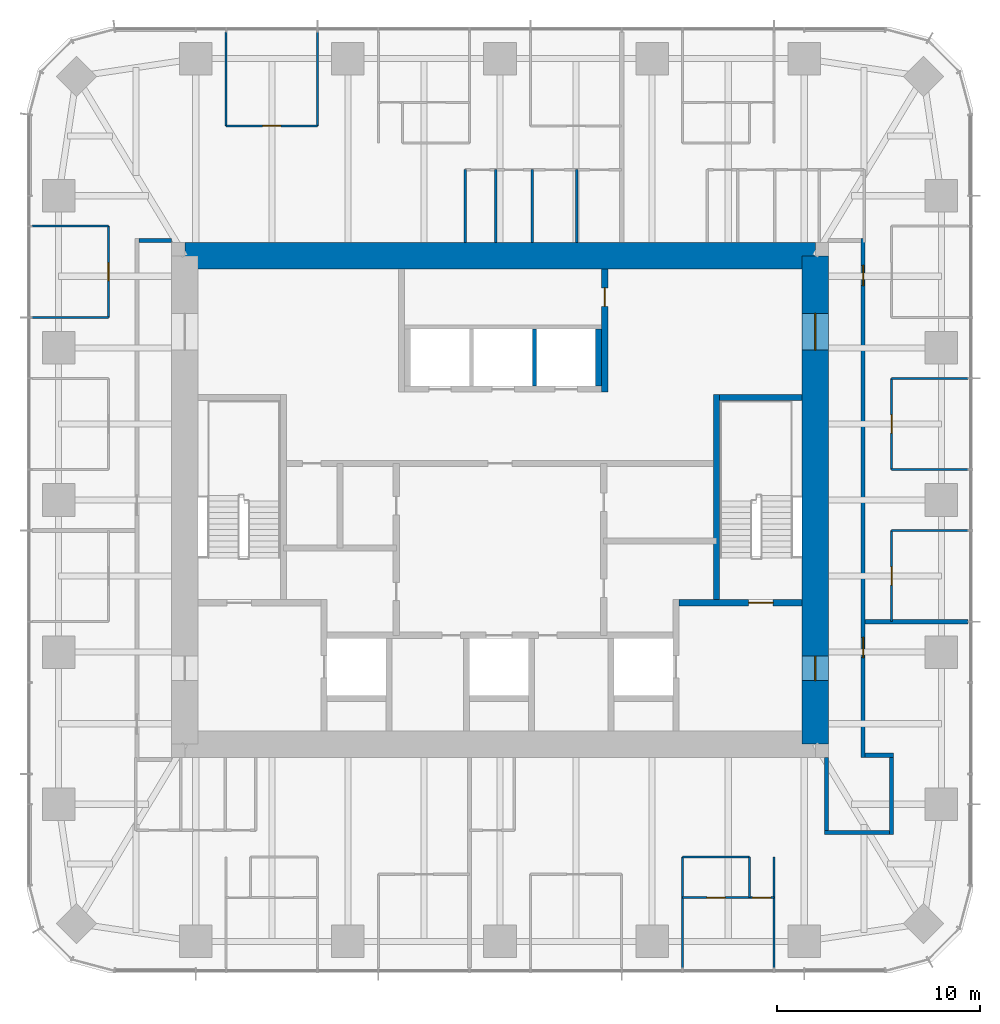
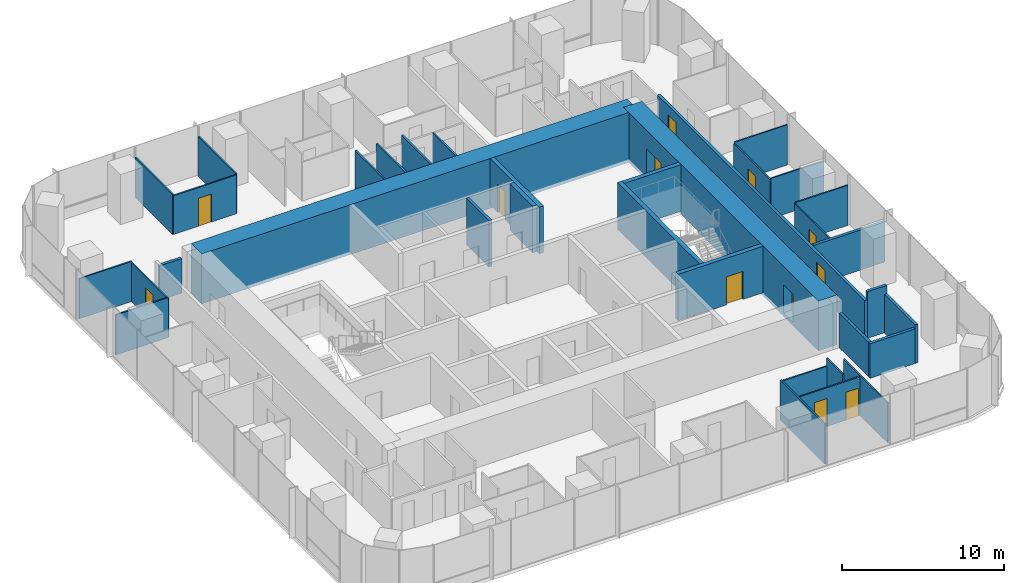
# One storey, part 10 of 12: 35 walls, 12 doors, 12 openings.
"""IFC4 building model written with IfcOpenShell, lengths in metres."""

from ifc_helpers import new_model, si_unit, direction, frame, frame_2d, origin, place, context, subcontext, project, spatial, rectangle, extrude, material, layer, layer_set, type_object, element, fill, save


model = new_model("IFC4")

# Units and contexts
model_context = context("Model", 3, precision=1e-05, world=origin(), true_north=direction((0.0, 1.0)))
body_context = subcontext(model_context, "Body", "Model", "MODEL_VIEW")
ifc_project = project(units=[si_unit("LENGTHUNIT", "METRE"), si_unit("AREAUNIT", "SQUARE_METRE"), si_unit("VOLUMEUNIT", "CUBIC_METRE"), si_unit("PLANEANGLEUNIT", "RADIAN"), si_unit("MASSUNIT", "GRAM", prefix="KILO")], contexts=[model_context])

# Site, building, storey
site_placement = place(None, origin())
site = spatial("IfcSite", under=ifc_project, at=site_placement, CompositionType="ELEMENT")
building_placement = place(site_placement, origin())
building = spatial("IfcBuilding", under=site, at=building_placement, Name="Khuree Lantern Residences", CompositionType="ELEMENT")
storey_placement = place(building_placement, frame((0.0, 0.0, 330.75)))
storey = spatial("IfcBuildingStorey", under=building, at=storey_placement, Name="L83", CompositionType="ELEMENT", Elevation=330.75)

# Walls
ifc_material_1 = material(Name="Moisture-resistant gypsum board on steel studs", Category="steel")
ifc_layer_1 = layer(ifc_material_1, 0.125)
ifc_layer_set_1 = layer_set([ifc_layer_1], Name="BATHROOM WALL BTW125")
wall_type_1 = type_object("IfcWallType", Name="BATHROOM WALL BTW125", PredefinedType="PARTITIONING", material=ifc_layer_set_1)
wall_1_placement = place(storey_placement, frame((3.783935546875, 12.64990234375, 0.0), z_axis=(0.0, 0.0, 1.0), x_axis=(0.0, 1.0, 0.0)))
element("IfcWall", 1, at=wall_1_placement, inside=storey, type_object=wall_type_1, Name="L83 BATHROOM WALL 02", PredefinedType="PARTITIONING", context=body_context, shape_type="SweptSolid", body=[
    extrude(rectangle(XDim=3.596435546875, YDim=0.125, at=frame_2d((1.79833984375, 0.0))), origin(), (0.0, 0.0, 1.0), 2.909912109375),
])
for number, where, z_axis, x_axis, name in (
    (2, (1.583984375, 12.64990234375, 0.0), (0.0, 0.0, 1.0), (0.0, 1.0, 0.0), "L83 BATHROOM WALL 02"),
    (3, (-0.216064453125, 12.64990234375, 0.0), (0.0, 0.0, 1.0), (0.0, 1.0, 0.0), "L83 BATHROOM WALL 02"),
    (4, (-1.716064453125, 12.64990234375, 0.0), (0.0, 0.0, 1.0), (0.0, 1.0, 0.0), "L83 BATHROOM WALL 02"),
):
    element("IfcWall", number, at=place(storey_placement, frame(where, z_axis=z_axis, x_axis=x_axis)), inside=storey, type_object=wall_type_1, Name=name, PredefinedType="PARTITIONING", context=body_context, shape_type="SweptSolid", body=[
        extrude(rectangle(XDim=3.596435546875, YDim=0.125, at=frame_2d((1.79833984375, 0.0))), origin(), (0.0, 0.0, 1.0), 3.5),
    ])
ifc_material_2 = material(Name="Dense concrete blockwork", Category="masonry")
ifc_layer_2 = layer(ifc_material_2, 0.300048828125)
ifc_layer_set_2 = layer_set([ifc_layer_2], Name="CORE PARTITION WALL CPW300 EI 120")
wall_type_2 = type_object("IfcWallType", Name="CORE PARTITION WALL CPW300 EI 120", PredefinedType="PARTITIONING", material=ifc_layer_set_2)
wall_2_placement = place(storey_placement, frame((4.85009765625, 5.60009765625, 0.0), z_axis=(0.0, 0.0, 1.0), x_axis=(0.0, 1.0, 0.0)))
element("IfcWall", 5, at=wall_2_placement, inside=storey, type_object=wall_type_2, Name="L83 CORE WALL PHE", PredefinedType="PARTITIONING", context=body_context, shape_type="SweptSolid", body=[
    extrude(rectangle(XDim=2.7998046875, YDim=0.300048828125, at=frame_2d((1.39990234375, 0.0))), origin(), (0.0, 0.0, 1.0), 3.5),
])

# Wall, opening, door
wall_3_placement = place(storey_placement, frame((5.14990234375, 5.300048828125, 0.0), z_axis=(0.0, 0.0, 1.0), x_axis=(0.0, 1.0, 0.0)))
wall_3 = element("IfcWall", 6, at=wall_3_placement, inside=storey, type_object=wall_type_2, Name="L83 CORE WALL NE", PredefinedType="PARTITIONING", context=body_context, shape_type="SweptSolid", body=[
    extrude(rectangle(XDim=6.050048828125, YDim=0.300048828125, at=frame_2d((3.02490234375, 0.0))), origin(), (0.0, 0.0, 1.0), 3.5),
])
opening_1_placement = place(wall_3_placement, frame((4.22509765625, 0.0, 0.0)))
opening_1 = element("IfcOpeningElement", 7, at=opening_1_placement, cuts=wall_3, Name="Opening 83-021", PredefinedType="OPENING", context=body_context, shape_type="SweptSolid", body=[
    extrude(rectangle(XDim=0.89990234375, YDim=2.10009765625, at=frame_2d((0.449951171875, 1.050048828125))), frame((0.0, 0.16015625, 0.0), z_axis=(0.0, -1.0, 0.0), x_axis=(1.0, 0.0, 0.0)), (0.0, 0.0, 1.0), 0.320068359375),
])
ifc_material_3 = material(Name="Timber door leaf in hardwood frame", Category="wood")
door_type_1 = type_object("IfcDoorType", Name="DOOR 900X2100", OperationType="SINGLE_SWING_LEFT", PredefinedType="DOOR", material=ifc_material_3)
door_1_placement = place(opening_1_placement, origin())
door_1 = element("IfcDoor", 8, at=door_1_placement, inside=storey, type_object=door_type_1, Name="Residents' store door 83-021", OperationType="SINGLE_SWING_LEFT", OverallHeight=2.10009765625, OverallWidth=0.89990234375, PredefinedType="DOOR", context=body_context, shape_type="SweptSolid", body=[
    extrude(rectangle(XDim=0.89990234375, YDim=2.10009765625, at=frame_2d((0.449951171875, 1.050048828125))), frame((0.0, 0.02490234375, 0.0), z_axis=(0.0, -1.0, 0.0), x_axis=(1.0, 0.0, 0.0)), (0.0, 0.0, 1.0), 0.050048828125),
])
fill(opening_1, door_1)

# Walls
ifc_material_4 = material(Name="Gypsum board on steel studs", Category="steel")
ifc_layer_3 = layer(ifc_material_4, 0.199951171875)
ifc_layer_set_3 = layer_set([ifc_layer_3], Name="CORRIDOR WALL CRW200 EI 60")
wall_type_3 = type_object("IfcWallType", Name="CORRIDOR WALL CRW200 EI 60", PredefinedType="PARTITIONING", material=ifc_layer_set_3)
wall_4_placement = place(storey_placement, frame((17.949951171875, -12.550048828125, 0.0), z_axis=(0.0, 0.0, 1.0), x_axis=(1.0, 0.0, 0.0)))
element("IfcWall", 9, at=wall_4_placement, inside=storey, type_object=wall_type_3, Name="L83 RESIDENTS LOUNGE WALL", PredefinedType="PARTITIONING", context=body_context, shape_type="SweptSolid", body=[
    extrude(rectangle(XDim=1.400146484375, YDim=0.199951171875, at=frame_2d((0.7001953125, 0.0))), origin(), (0.0, 0.0, 1.0), 3.5),
])
wall_5_placement = place(storey_placement, frame((19.25, -12.449951171875, 0.0), z_axis=(0.0, 0.0, 1.0), x_axis=(0.0, -1.0, 0.0)))
element("IfcWall", 10, at=wall_5_placement, inside=storey, type_object=wall_type_3, Name="L83 RESIDENTS LOUNGE WALL", PredefinedType="PARTITIONING", context=body_context, shape_type="SweptSolid", body=[
    extrude(rectangle(XDim=4.0, YDim=0.199951171875, at=frame_2d((2.0, 0.0))), origin(), (0.0, 0.0, 1.0), 2.89990234375),
])
wall_6_placement = place(storey_placement, frame((19.14990234375, -16.35009765625, 0.0), z_axis=(0.0, 0.0, 1.0), x_axis=(-1.0, 0.0, 0.0)))
element("IfcWall", 11, at=wall_6_placement, inside=storey, type_object=wall_type_3, Name="L83 RESIDENTS LOUNGE WALL", PredefinedType="PARTITIONING", context=body_context, shape_type="SweptSolid", body=[
    extrude(rectangle(XDim=3.199951171875, YDim=0.199951171875, at=frame_2d((1.60009765625, 0.0))), origin(), (0.0, 0.0, 1.0), 2.60009765625),
])
wall_7_placement = place(storey_placement, frame((16.050048828125, -16.449951171875, 0.0), z_axis=(0.0, 0.0, 1.0), x_axis=(0.0, 1.0, 0.0)))
element("IfcWall", 12, at=wall_7_placement, inside=storey, type_object=wall_type_3, Name="L83 RESIDENTS LOUNGE WALL", PredefinedType="PARTITIONING", context=body_context, shape_type="SweptSolid", body=[
    extrude(rectangle(XDim=3.800048828125, YDim=0.199951171875, at=frame_2d((1.89990234375, 0.0))), origin(), (0.0, 0.0, 1.0), 2.60009765625),
])
wall_8_placement = place(storey_placement, frame((-16.14990234375, 12.75, 0.0), z_axis=(0.0, 0.0, 1.0), x_axis=(-1.0, 0.0, 0.0)))
element("IfcWall", 13, at=wall_8_placement, inside=storey, type_object=wall_type_3, Name="L83 WEST CORRIDOR NORTH END WALL", PredefinedType="PARTITIONING", context=body_context, shape_type="SweptSolid", body=[
    extrude(rectangle(XDim=1.60009765625, YDim=0.199951171875, at=frame_2d((0.800048828125, 0.0))), origin(), (0.0, 0.0, 1.0), 2.60009765625),
])

# Wall, openings, doors
wall_9_placement = place(storey_placement, frame((17.85009765625, -12.64990234375, 0.0), z_axis=(0.0, 0.0, 1.0), x_axis=(0.0, 1.0, 0.0)))
wall_9 = element("IfcWall", 14, at=wall_9_placement, inside=storey, type_object=wall_type_3, Name="L83 CORRIDOR WALL EAST 1", PredefinedType="PARTITIONING", context=body_context, shape_type="SweptSolid", body=[
    extrude(rectangle(XDim=25.5, YDim=0.199951171875, at=frame_2d((12.75, 0.0))), origin(), (0.0, 0.0, 1.0), 2.89990234375),
])
opening_2_placement = place(wall_9_placement, frame((23.18603515625, 0.0, 0.0)))
opening_2 = element("IfcOpeningElement", 15, at=opening_2_placement, cuts=wall_9, Name="Opening 83-031", PredefinedType="OPENING", context=body_context, shape_type="SweptSolid", body=[
    extrude(rectangle(XDim=1.0, YDim=2.199951171875, at=frame_2d((0.5, 1.10009765625))), frame((0.0, 0.10986328125, 0.0), z_axis=(0.0, -1.0, 0.0), x_axis=(1.0, 0.0, 0.0)), (0.0, 0.0, 1.0), 0.219970703125),
])
opening_3_placement = place(wall_9_placement, frame((4.89990234375, 0.0, 0.0)))
opening_3 = element("IfcOpeningElement", 16, at=opening_3_placement, cuts=wall_9, Name="Opening 83-055", PredefinedType="OPENING", context=body_context, shape_type="SweptSolid", body=[
    extrude(rectangle(XDim=1.0, YDim=2.199951171875, at=frame_2d((0.5, 1.10009765625))), frame((0.0, 0.10986328125, 0.0), z_axis=(0.0, -1.0, 0.0), x_axis=(1.0, 0.0, 0.0)), (0.0, 0.0, 1.0), 0.219970703125),
])
door_type_2 = type_object("IfcDoorType", Name="APARTMENT ENTRANCE DOOR 1000X2200 EI 30S", OperationType="SINGLE_SWING_LEFT", PredefinedType="DOOR", material=ifc_material_3)
door_2_placement = place(opening_3_placement, origin())
door_2 = element("IfcDoor", 17, at=door_2_placement, inside=storey, type_object=door_type_2, Name="Apartment 04 entrance door 83-055", OperationType="SINGLE_SWING_LEFT", OverallHeight=2.199951171875, OverallWidth=1.0, PredefinedType="DOOR", context=body_context, shape_type="SweptSolid", body=[
    extrude(rectangle(XDim=1.0, YDim=2.199951171875, at=frame_2d((0.5, 1.10009765625))), frame((0.0, 0.02490234375, 0.0), z_axis=(0.0, -1.0, 0.0), x_axis=(1.0, 0.0, 0.0)), (0.0, 0.0, 1.0), 0.050048828125),
])
fill(opening_3, door_2)
door_type_3 = type_object("IfcDoorType", Name="APARTMENT ENTRANCE DOOR 1000X2200 EI 30S RIGHT HAND", OperationType="SINGLE_SWING_RIGHT", PredefinedType="DOOR", material=ifc_material_3)
door_3_placement = place(opening_2_placement, origin())
door_3 = element("IfcDoor", 18, at=door_3_placement, inside=storey, type_object=door_type_3, Name="Apartment 01 entrance door 83-031", OperationType="SINGLE_SWING_RIGHT", OverallHeight=2.199951171875, OverallWidth=1.0, PredefinedType="DOOR", context=body_context, shape_type="SweptSolid", body=[
    extrude(rectangle(XDim=1.0, YDim=2.199951171875, at=frame_2d((0.5, 1.10009765625))), frame((0.0, 0.02490234375, 0.0), z_axis=(0.0, -1.0, 0.0), x_axis=(1.0, 0.0, 0.0)), (0.0, 0.0, 1.0), 0.050048828125),
])
fill(opening_2, door_3)

ifc_material_5 = material(Name="Concrete C50/60", Category="concrete")
ifc_layer_4 = layer(ifc_material_5, 1.300048828125)
ifc_layer_set_4 = layer_set([ifc_layer_4], Name="CW1300-C50 CORE WALL C50 1300")
wall_type_4 = type_object("IfcWallType", Name="CW1300-C50 CORE WALL C50 1300", PredefinedType="SHEAR", material=ifc_layer_set_4)
wall_10_placement = place(storey_placement, frame((15.5, -12.0, -0.25), z_axis=(0.0, 0.0, 1.0), x_axis=(0.0, 1.0, 0.0)))
wall_10 = element("IfcWall", 19, at=wall_10_placement, inside=storey, type_object=wall_type_4, Name="Core wall E", PredefinedType="SHEAR", context=body_context, shape_type="SweptSolid", body=[
    extrude(rectangle(XDim=24.0, YDim=1.300048828125, at=frame_2d((12.0, 0.0))), origin(), (0.0, 0.0, 1.0), 3.75),
])
opening_4_placement = place(wall_10_placement, frame((3.125, 0.0, 0.25)))
opening_4 = element("IfcOpeningElement", 20, at=opening_4_placement, cuts=wall_10, Name="Opening 83-005", PredefinedType="OPENING", context=body_context, shape_type="SweptSolid", body=[
    extrude(rectangle(XDim=1.199951171875, YDim=2.10009765625, at=frame_2d((0.60009765625, 1.050048828125))), frame((0.0, 0.66015625, 0.0), z_axis=(0.0, -1.0, 0.0), x_axis=(1.0, 0.0, 0.0)), (0.0, 0.0, 1.0), 1.320068359375),
])
opening_5_placement = place(wall_10_placement, frame((19.375, 0.0, 0.25)))
opening_5 = element("IfcOpeningElement", 21, at=opening_5_placement, cuts=wall_10, Name="Opening 83-006", PredefinedType="OPENING", context=body_context, shape_type="SweptSolid", body=[
    extrude(rectangle(XDim=1.800048828125, YDim=2.10009765625, at=frame_2d((0.89990234375, 1.050048828125))), frame((0.0, 0.66015625, 0.0), z_axis=(0.0, -1.0, 0.0), x_axis=(1.0, 0.0, 0.0)), (0.0, 0.0, 1.0), 1.320068359375),
])
ifc_material_6 = material(Name="Steel door leaf in steel frame", Category="steel")
door_type_4 = type_object("IfcDoorType", Name="LOBBY DOOR 1200X2100 EI 120", OperationType="SINGLE_SWING_LEFT", PredefinedType="DOOR", material=ifc_material_6)
door_4_placement = place(opening_4_placement, origin())
door_4 = element("IfcDoor", 22, at=door_4_placement, inside=storey, type_object=door_type_4, Name="Firefighting lobby door 83-005", OperationType="SINGLE_SWING_LEFT", OverallHeight=2.10009765625, OverallWidth=1.199951171875, PredefinedType="DOOR", context=body_context, shape_type="SweptSolid", body=[
    extrude(rectangle(XDim=1.199951171875, YDim=2.10009765625, at=frame_2d((0.60009765625, 1.050048828125))), frame((0.0, 0.02490234375, 0.0), z_axis=(0.0, -1.0, 0.0), x_axis=(1.0, 0.0, 0.0)), (0.0, 0.0, 1.0), 0.050048828125),
])
fill(opening_4, door_4)
door_type_5 = type_object("IfcDoorType", Name="LOBBY DOUBLE DOOR 1800X2100 EI 60", OperationType="DOUBLE_DOOR_SINGLE_SWING", PredefinedType="DOOR", material=ifc_material_6)
door_5_placement = place(opening_5_placement, origin())
door_5 = element("IfcDoor", 23, at=door_5_placement, inside=storey, type_object=door_type_5, Name="Lift lobby door 83-006", OperationType="DOUBLE_DOOR_SINGLE_SWING", OverallHeight=2.10009765625, OverallWidth=1.800048828125, PredefinedType="DOOR", context=body_context, shape_type="SweptSolid", body=[
    extrude(rectangle(XDim=1.800048828125, YDim=2.10009765625, at=frame_2d((0.89990234375, 1.050048828125))), frame((0.0, 0.02490234375, 0.0), z_axis=(0.0, -1.0, 0.0), x_axis=(1.0, 0.0, 0.0)), (0.0, 0.0, 1.0), 0.050048828125),
])
fill(opening_5, door_5)

# Walls
wall_11_placement = place(storey_placement, frame((-15.5, 12.0, -0.25), z_axis=(0.0, 0.0, 1.0), x_axis=(1.0, 0.0, 0.0)))
element("IfcWall", 24, at=wall_11_placement, inside=storey, type_object=wall_type_4, Name="Core wall N", PredefinedType="SHEAR", context=body_context, shape_type="SweptSolid", body=[
    extrude(rectangle(XDim=31.0, YDim=1.300048828125, at=frame_2d((15.5, 0.0))), origin(), (0.0, 0.0, 1.0), 3.75),
])
ifc_layer_5 = layer(ifc_material_4, 0.199951171875)
ifc_layer_set_5 = layer_set([ifc_layer_5], Name="DEMISING WALL DMW200 EI 90")
wall_type_5 = type_object("IfcWallType", Name="DEMISING WALL DMW200 EI 90", PredefinedType="PARTITIONING", material=ifc_layer_set_5)
wall_12_placement = place(storey_placement, frame((17.949951171875, -5.98388671875, 0.0), z_axis=(0.0, 0.0, 1.0), x_axis=(1.0, 0.0, 0.0)))
element("IfcWall", 25, at=wall_12_placement, inside=storey, type_object=wall_type_5, Name="L83 DEMISING WALL 01", PredefinedType="PARTITIONING", context=body_context, shape_type="SweptSolid", body=[
    extrude(rectangle(XDim=5.050048828125, YDim=0.199951171875, at=frame_2d((2.52490234375, 0.0))), origin(), (0.0, 0.0, 1.0), 3.010009765625),
])
ifc_layer_6 = layer(ifc_material_4, 0.10009765625)
ifc_layer_set_6 = layer_set([ifc_layer_6], Name="PARTITION PT100")
wall_type_6 = type_object("IfcWallType", Name="PARTITION PT100", PredefinedType="PARTITIONING", material=ifc_layer_set_6)
for number, where, z_axis, x_axis, name in (
    (26, (19.25, -1.49609375, 0.0), (0.0, 0.0, 1.0), (1.0, 0.0, 0.0), "L83 PARTITION 01"),
    (27, (19.25, 1.49609375, 0.0), (0.0, 0.0, 1.0), (1.0, 0.0, 0.0), "L83 PARTITION 01"),
    (28, (19.25, 5.98388671875, 0.0), (0.0, 0.0, 1.0), (1.0, 0.0, 0.0), "L83 PARTITION 01"),
):
    element("IfcWall", number, at=place(storey_placement, frame(where, z_axis=z_axis, x_axis=x_axis)), inside=storey, type_object=wall_type_6, Name=name, PredefinedType="PARTITIONING", context=body_context, shape_type="SweptSolid", body=[
        extrude(rectangle(XDim=3.75, YDim=0.10009765625, at=frame_2d((1.875, 0.0))), origin(), (0.0, 0.0, 1.0), 3.010009765625),
    ])
for number, where, z_axis, x_axis, name in (
    (29, (-8.97607421875, 18.39990234375, 0.0), (0.0, 0.0, 1.0), (0.0, 1.0, 0.0), "L83 PARTITION 02"),
    (30, (-13.464111328125, 18.39990234375, 0.0), (0.0, 0.0, 1.0), (0.0, 1.0, 0.0), "L83 PARTITION 02"),
):
    element("IfcWall", number, at=place(storey_placement, frame(where, z_axis=z_axis, x_axis=x_axis)), inside=storey, type_object=wall_type_6, Name=name, PredefinedType="PARTITIONING", context=body_context, shape_type="SweptSolid", body=[
        extrude(rectangle(XDim=4.60009765625, YDim=0.10009765625, at=frame_2d((2.300048828125, 0.0))), origin(), (0.0, 0.0, 1.0), 3.010009765625),
    ])
for number, where, z_axis, x_axis, name in (
    (31, (-19.25, 13.464111328125, 0.0), (0.0, 0.0, 1.0), (-1.0, 0.0, 0.0), "L83 PARTITION 02"),
    (32, (-19.25, 8.97607421875, 0.0), (0.0, 0.0, 1.0), (-1.0, 0.0, 0.0), "L83 PARTITION 02"),
):
    element("IfcWall", number, at=place(storey_placement, frame(where, z_axis=z_axis, x_axis=x_axis)), inside=storey, type_object=wall_type_6, Name=name, PredefinedType="PARTITIONING", context=body_context, shape_type="SweptSolid", body=[
        extrude(rectangle(XDim=3.75, YDim=0.10009765625, at=frame_2d((1.875, 0.0))), origin(), (0.0, 0.0, 1.0), 3.010009765625),
    ])
for number, where, z_axis, x_axis, name in (
    (33, (8.97607421875, -17.54638671875, 0.0), (0.0, 0.0, 1.0), (0.0, -1.0, 0.0), "L83 PARTITION 04"),
    (34, (13.464111328125, -17.54638671875, 0.0), (0.0, 0.0, 1.0), (0.0, -1.0, 0.0), "L83 PARTITION 04"),
):
    element("IfcWall", number, at=place(storey_placement, frame(where, z_axis=z_axis, x_axis=x_axis)), inside=storey, type_object=wall_type_6, Name=name, PredefinedType="PARTITIONING", context=body_context, shape_type="SweptSolid", body=[
        extrude(rectangle(XDim=5.45361328125, YDim=0.10009765625, at=frame_2d((2.726806640625, 0.0))), origin(), (0.0, 0.0, 1.0), 3.010009765625),
    ])

# Wall, opening, door
wall_13_placement = place(storey_placement, frame((19.25, -5.98388671875, 0.0), z_axis=(0.0, 0.0, 1.0), x_axis=(0.0, 1.0, 0.0)))
wall_13 = element("IfcWall", 35, at=wall_13_placement, inside=storey, type_object=wall_type_6, Name="L83 PARTITION 01", PredefinedType="PARTITIONING", context=body_context, shape_type="SweptSolid", body=[
    extrude(rectangle(XDim=4.48779296875, YDim=0.10009765625, at=frame_2d((2.243896484375, 0.0))), origin(), (0.0, 0.0, 1.0), 2.909912109375),
])
opening_6_placement = place(wall_13_placement, frame((1.7939453125, 0.0, 0.0)))
opening_6 = element("IfcOpeningElement", 36, at=opening_6_placement, cuts=wall_13, Name="Opening 83-022", PredefinedType="OPENING", context=body_context, shape_type="SweptSolid", body=[
    extrude(rectangle(XDim=0.89990234375, YDim=2.10009765625, at=frame_2d((0.449951171875, 1.050048828125))), frame((0.0, 0.06005859375, 0.0), z_axis=(0.0, -1.0, 0.0), x_axis=(1.0, 0.0, 0.0)), (0.0, 0.0, 1.0), 0.1201171875),
])
door_type_6 = type_object("IfcDoorType", Name="BEDROOM DOOR 900X2100", OperationType="SINGLE_SWING_LEFT", PredefinedType="DOOR", material=ifc_material_3)
door_6_placement = place(opening_6_placement, origin())
door_6 = element("IfcDoor", 37, at=door_6_placement, inside=storey, type_object=door_type_6, Name="Bedroom door 83-022", OperationType="SINGLE_SWING_LEFT", OverallHeight=2.10009765625, OverallWidth=0.89990234375, PredefinedType="DOOR", context=body_context, shape_type="SweptSolid", body=[
    extrude(rectangle(XDim=0.89990234375, YDim=2.10009765625, at=frame_2d((0.449951171875, 1.050048828125))), frame((0.0, 0.02490234375, 0.0), z_axis=(0.0, -1.0, 0.0), x_axis=(1.0, 0.0, 0.0)), (0.0, 0.0, 1.0), 0.050048828125),
])
fill(opening_6, door_6)

wall_14_placement = place(storey_placement, frame((19.25, 1.49609375, 0.0), z_axis=(0.0, 0.0, 1.0), x_axis=(0.0, 1.0, 0.0)))
wall_14 = element("IfcWall", 38, at=wall_14_placement, inside=storey, type_object=wall_type_6, Name="L83 PARTITION 01", PredefinedType="PARTITIONING", context=body_context, shape_type="SweptSolid", body=[
    extrude(rectangle(XDim=4.48779296875, YDim=0.10009765625, at=frame_2d((2.243896484375, 0.0))), origin(), (0.0, 0.0, 1.0), 2.909912109375),
])
opening_7_placement = place(wall_14_placement, frame((1.7939453125, 0.0, 0.0)))
opening_7 = element("IfcOpeningElement", 39, at=opening_7_placement, cuts=wall_14, Name="Opening 83-023", PredefinedType="OPENING", context=body_context, shape_type="SweptSolid", body=[
    extrude(rectangle(XDim=0.89990234375, YDim=2.10009765625, at=frame_2d((0.449951171875, 1.050048828125))), frame((0.0, 0.06005859375, 0.0), z_axis=(0.0, -1.0, 0.0), x_axis=(1.0, 0.0, 0.0)), (0.0, 0.0, 1.0), 0.1201171875),
])
door_7_placement = place(opening_7_placement, origin())
door_7 = element("IfcDoor", 40, at=door_7_placement, inside=storey, type_object=door_type_6, Name="Bedroom door 83-023", OperationType="SINGLE_SWING_LEFT", OverallHeight=2.10009765625, OverallWidth=0.89990234375, PredefinedType="DOOR", context=body_context, shape_type="SweptSolid", body=[
    extrude(rectangle(XDim=0.89990234375, YDim=2.10009765625, at=frame_2d((0.449951171875, 1.050048828125))), frame((0.0, 0.02490234375, 0.0), z_axis=(0.0, -1.0, 0.0), x_axis=(1.0, 0.0, 0.0)), (0.0, 0.0, 1.0), 0.050048828125),
])
fill(opening_7, door_7)

wall_15_placement = place(storey_placement, frame((-8.97607421875, 18.39990234375, 0.0), z_axis=(0.0, 0.0, 1.0), x_axis=(-1.0, 0.0, 0.0)))
wall_15 = element("IfcWall", 41, at=wall_15_placement, inside=storey, type_object=wall_type_6, Name="L83 PARTITION 02", PredefinedType="PARTITIONING", context=body_context, shape_type="SweptSolid", body=[
    extrude(rectangle(XDim=4.488037109375, YDim=0.10009765625, at=frame_2d((2.244140625, 0.0))), origin(), (0.0, 0.0, 1.0), 2.909912109375),
])
opening_8_placement = place(wall_15_placement, frame((1.7939453125, 0.0, 0.0)))
opening_8 = element("IfcOpeningElement", 42, at=opening_8_placement, cuts=wall_15, Name="Opening 83-035", PredefinedType="OPENING", context=body_context, shape_type="SweptSolid", body=[
    extrude(rectangle(XDim=0.89990234375, YDim=2.10009765625, at=frame_2d((0.449951171875, 1.050048828125))), frame((0.0, 0.06005859375, 0.0), z_axis=(0.0, -1.0, 0.0), x_axis=(1.0, 0.0, 0.0)), (0.0, 0.0, 1.0), 0.1201171875),
])
door_8_placement = place(opening_8_placement, origin())
door_8 = element("IfcDoor", 43, at=door_8_placement, inside=storey, type_object=door_type_6, Name="Bedroom door 83-035", OperationType="SINGLE_SWING_LEFT", OverallHeight=2.10009765625, OverallWidth=0.89990234375, PredefinedType="DOOR", context=body_context, shape_type="SweptSolid", body=[
    extrude(rectangle(XDim=0.89990234375, YDim=2.10009765625, at=frame_2d((0.449951171875, 1.050048828125))), frame((0.0, 0.02490234375, 0.0), z_axis=(0.0, -1.0, 0.0), x_axis=(1.0, 0.0, 0.0)), (0.0, 0.0, 1.0), 0.050048828125),
])
fill(opening_8, door_8)

wall_16_placement = place(storey_placement, frame((-19.25, 13.464111328125, 0.0), z_axis=(0.0, 0.0, 1.0), x_axis=(0.0, -1.0, 0.0)))
wall_16 = element("IfcWall", 44, at=wall_16_placement, inside=storey, type_object=wall_type_6, Name="L83 PARTITION 02", PredefinedType="PARTITIONING", context=body_context, shape_type="SweptSolid", body=[
    extrude(rectangle(XDim=4.488037109375, YDim=0.10009765625, at=frame_2d((2.244140625, 0.0))), origin(), (0.0, 0.0, 1.0), 2.909912109375),
])
opening_9_placement = place(wall_16_placement, frame((1.7939453125, 0.0, 0.0)))
opening_9 = element("IfcOpeningElement", 45, at=opening_9_placement, cuts=wall_16, Name="Opening 83-036", PredefinedType="OPENING", context=body_context, shape_type="SweptSolid", body=[
    extrude(rectangle(XDim=0.89990234375, YDim=2.10009765625, at=frame_2d((0.449951171875, 1.050048828125))), frame((0.0, 0.06005859375, 0.0), z_axis=(0.0, -1.0, 0.0), x_axis=(1.0, 0.0, 0.0)), (0.0, 0.0, 1.0), 0.1201171875),
])
door_9_placement = place(opening_9_placement, origin())
door_9 = element("IfcDoor", 46, at=door_9_placement, inside=storey, type_object=door_type_6, Name="Bedroom door 83-036", OperationType="SINGLE_SWING_LEFT", OverallHeight=2.10009765625, OverallWidth=0.89990234375, PredefinedType="DOOR", context=body_context, shape_type="SweptSolid", body=[
    extrude(rectangle(XDim=0.89990234375, YDim=2.10009765625, at=frame_2d((0.449951171875, 1.050048828125))), frame((0.0, 0.02490234375, 0.0), z_axis=(0.0, -1.0, 0.0), x_axis=(1.0, 0.0, 0.0)), (0.0, 0.0, 1.0), 0.050048828125),
])
fill(opening_9, door_9)

# Wall, openings, doors
wall_17_placement = place(storey_placement, frame((8.97607421875, -19.54638671875, 0.0), z_axis=(0.0, 0.0, 1.0), x_axis=(1.0, 0.0, 0.0)))
wall_17 = element("IfcWall", 47, at=wall_17_placement, inside=storey, type_object=wall_type_6, Name="L83 PARTITION 04", PredefinedType="PARTITIONING", context=body_context, shape_type="SweptSolid", body=[
    extrude(rectangle(XDim=4.488037109375, YDim=0.10009765625, at=frame_2d((2.244140625, 0.0))), origin(), (0.0, 0.0, 1.0), 2.909912109375),
])
opening_10_placement = place(wall_17_placement, frame((3.43798828125, 0.0, 0.0)))
opening_10 = element("IfcOpeningElement", 48, at=opening_10_placement, cuts=wall_17, Name="Opening 83-052", PredefinedType="OPENING", context=body_context, shape_type="SweptSolid", body=[
    extrude(rectangle(XDim=0.89990234375, YDim=2.10009765625, at=frame_2d((0.449951171875, 1.050048828125))), frame((0.0, 0.06005859375, 0.0), z_axis=(0.0, -1.0, 0.0), x_axis=(1.0, 0.0, 0.0)), (0.0, 0.0, 1.0), 0.1201171875),
])
opening_11_placement = place(wall_17_placement, frame((1.194091796875, 0.0, 0.0)))
opening_11 = element("IfcOpeningElement", 49, at=opening_11_placement, cuts=wall_17, Name="Opening 83-053", PredefinedType="OPENING", context=body_context, shape_type="SweptSolid", body=[
    extrude(rectangle(XDim=0.89990234375, YDim=2.10009765625, at=frame_2d((0.449951171875, 1.050048828125))), frame((0.0, 0.06005859375, 0.0), z_axis=(0.0, -1.0, 0.0), x_axis=(1.0, 0.0, 0.0)), (0.0, 0.0, 1.0), 0.1201171875),
])
door_10_placement = place(opening_10_placement, origin())
door_10 = element("IfcDoor", 50, at=door_10_placement, inside=storey, type_object=door_type_6, Name="Bedroom door 83-052", OperationType="SINGLE_SWING_LEFT", OverallHeight=2.10009765625, OverallWidth=0.89990234375, PredefinedType="DOOR", context=body_context, shape_type="SweptSolid", body=[
    extrude(rectangle(XDim=0.89990234375, YDim=2.10009765625, at=frame_2d((0.449951171875, 1.050048828125))), frame((0.0, 0.02490234375, 0.0), z_axis=(0.0, -1.0, 0.0), x_axis=(1.0, 0.0, 0.0)), (0.0, 0.0, 1.0), 0.050048828125),
])
fill(opening_10, door_10)
door_11_placement = place(opening_11_placement, origin())
door_11 = element("IfcDoor", 51, at=door_11_placement, inside=storey, type_object=door_type_1, Name="Wardrobe door 83-053", OperationType="SINGLE_SWING_LEFT", OverallHeight=2.10009765625, OverallWidth=0.89990234375, PredefinedType="DOOR", context=body_context, shape_type="SweptSolid", body=[
    extrude(rectangle(XDim=0.89990234375, YDim=2.10009765625, at=frame_2d((0.449951171875, 1.050048828125))), frame((0.0, 0.02490234375, 0.0), z_axis=(0.0, -1.0, 0.0), x_axis=(1.0, 0.0, 0.0)), (0.0, 0.0, 1.0), 0.050048828125),
])
fill(opening_11, door_11)

# Walls
wall_18_placement = place(storey_placement, frame((12.263916015625, -17.54638671875, 0.0), z_axis=(0.0, 0.0, 1.0), x_axis=(0.0, -1.0, 0.0)))
element("IfcWall", 52, at=wall_18_placement, inside=storey, type_object=wall_type_6, Name="L83 PARTITION 04", PredefinedType="PARTITIONING", context=body_context, shape_type="SweptSolid", body=[
    extrude(rectangle(XDim=2.0, YDim=0.10009765625, at=frame_2d((1.0, 0.0))), origin(), (0.0, 0.0, 1.0), 3.5),
])
wall_19_placement = place(storey_placement, frame((8.97607421875, -17.54638671875, 0.0), z_axis=(0.0, 0.0, 1.0), x_axis=(1.0, 0.0, 0.0)))
element("IfcWall", 53, at=wall_19_placement, inside=storey, type_object=wall_type_6, Name="L83 PARTITION 04", PredefinedType="PARTITIONING", context=body_context, shape_type="SweptSolid", body=[
    extrude(rectangle(XDim=3.287841796875, YDim=0.10009765625, at=frame_2d((1.64404296875, 0.0))), origin(), (0.0, 0.0, 1.0), 2.909912109375),
])
ifc_layer_7 = layer(ifc_material_2, 0.199951171875)
ifc_layer_set_7 = layer_set([ifc_layer_7], Name="SHAFT WALL SHW200 EI 120")
wall_type_7 = type_object("IfcWallType", Name="SHAFT WALL SHW200 EI 120", PredefinedType="PARTITIONING", material=ifc_layer_set_7)
wall_20_placement = place(storey_placement, frame((1.699951171875, 5.60009765625, 0.0), z_axis=(0.0, 0.0, 1.0), x_axis=(0.0, 1.0, 0.0)))
element("IfcWall", 54, at=wall_20_placement, inside=storey, type_object=wall_type_7, Name="L83 CORE WALL PHD2", PredefinedType="PARTITIONING", context=body_context, shape_type="SweptSolid", body=[
    extrude(rectangle(XDim=2.7998046875, YDim=0.199951171875, at=frame_2d((1.39990234375, 0.0))), origin(), (0.0, 0.0, 1.0), 3.5),
])
ifc_layer_8 = layer(ifc_material_5, 0.300048828125)
ifc_layer_set_8 = layer_set([ifc_layer_8], Name="STAIR WALL SRW300 C50/60 REI 240")
wall_type_8 = type_object("IfcWallType", Name="STAIR WALL SRW300 C50/60 REI 240", PredefinedType="SOLIDWALL", material=ifc_layer_set_8)
wall_21_placement = place(storey_placement, frame((10.64990234375, -4.89990234375, 0.0), z_axis=(0.0, 0.0, 1.0), x_axis=(0.0, 1.0, 0.0)))
element("IfcWall", 55, at=wall_21_placement, inside=storey, type_object=wall_type_8, Name="L83 STAIR WALL ST2E", PredefinedType="SOLIDWALL", context=body_context, shape_type="SweptSolid", body=[
    extrude(rectangle(XDim=10.099853515625, YDim=0.300048828125, at=frame_2d((5.0498046875, 0.0))), origin(), (0.0, 0.0, 1.0), 3.5),
])

# Wall, opening, door
wall_22_placement = place(storey_placement, frame((14.85009765625, -5.050048828125, 0.0), z_axis=(0.0, 0.0, 1.0), x_axis=(-1.0, 0.0, 0.0)))
wall_22 = element("IfcWall", 56, at=wall_22_placement, inside=storey, type_object=wall_type_8, Name="L83 STAIR WALL ST2S", PredefinedType="SOLIDWALL", context=body_context, shape_type="SweptSolid", body=[
    extrude(rectangle(XDim=6.050048828125, YDim=0.300048828125, at=frame_2d((3.02490234375, 0.0))), origin(), (0.0, 0.0, 1.0), 3.5),
])
opening_12_placement = place(wall_22_placement, frame((1.425048828125, 0.0, 0.0)))
opening_12 = element("IfcOpeningElement", 57, at=opening_12_placement, cuts=wall_22, Name="Opening 83-004", PredefinedType="OPENING", context=body_context, shape_type="SweptSolid", body=[
    extrude(rectangle(XDim=1.199951171875, YDim=2.10009765625, at=frame_2d((0.60009765625, 1.050048828125))), frame((0.0, 0.16015625, 0.0), z_axis=(0.0, -1.0, 0.0), x_axis=(1.0, 0.0, 0.0)), (0.0, 0.0, 1.0), 0.320068359375),
])
door_type_7 = type_object("IfcDoorType", Name="STAIR DOOR 1200X2100 EI 120", OperationType="SINGLE_SWING_LEFT", PredefinedType="DOOR", material=ifc_material_6)
door_12_placement = place(opening_12_placement, origin())
door_12 = element("IfcDoor", 58, at=door_12_placement, inside=storey, type_object=door_type_7, Name="Stair ST2 door 83-004", OperationType="SINGLE_SWING_LEFT", OverallHeight=2.10009765625, OverallWidth=1.199951171875, PredefinedType="DOOR", context=body_context, shape_type="SweptSolid", body=[
    extrude(rectangle(XDim=1.199951171875, YDim=2.10009765625, at=frame_2d((0.60009765625, 1.050048828125))), frame((0.0, 0.02490234375, 0.0), z_axis=(0.0, -1.0, 0.0), x_axis=(1.0, 0.0, 0.0)), (0.0, 0.0, 1.0), 0.050048828125),
])
fill(opening_12, door_12)

# Wall
wall_23_placement = place(storey_placement, frame((14.85009765625, 5.050048828125, 0.0), z_axis=(0.0, 0.0, 1.0), x_axis=(-1.0, 0.0, 0.0)))
element("IfcWall", 59, at=wall_23_placement, inside=storey, type_object=wall_type_8, Name="L83 STAIR WALL ST2N", PredefinedType="SOLIDWALL", context=body_context, shape_type="SweptSolid", body=[
    extrude(rectangle(XDim=4.050048828125, YDim=0.300048828125, at=frame_2d((2.02490234375, 0.0))), origin(), (0.0, 0.0, 1.0), 3.5),
])

save(model, "model.ifc")
